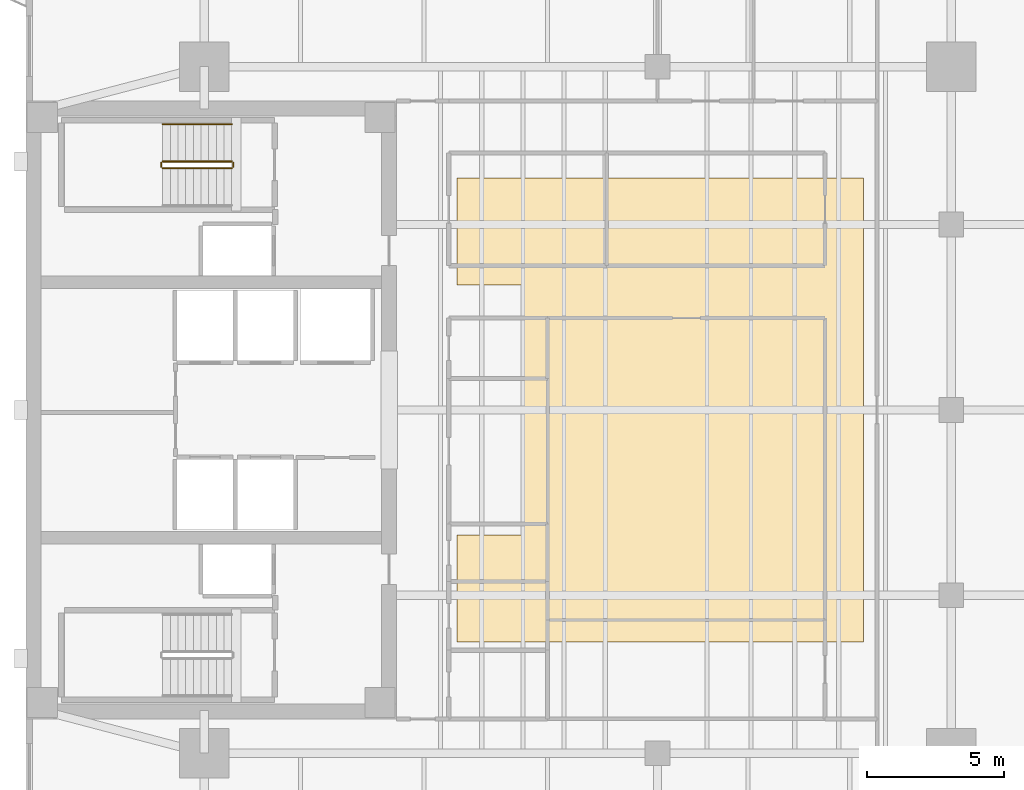
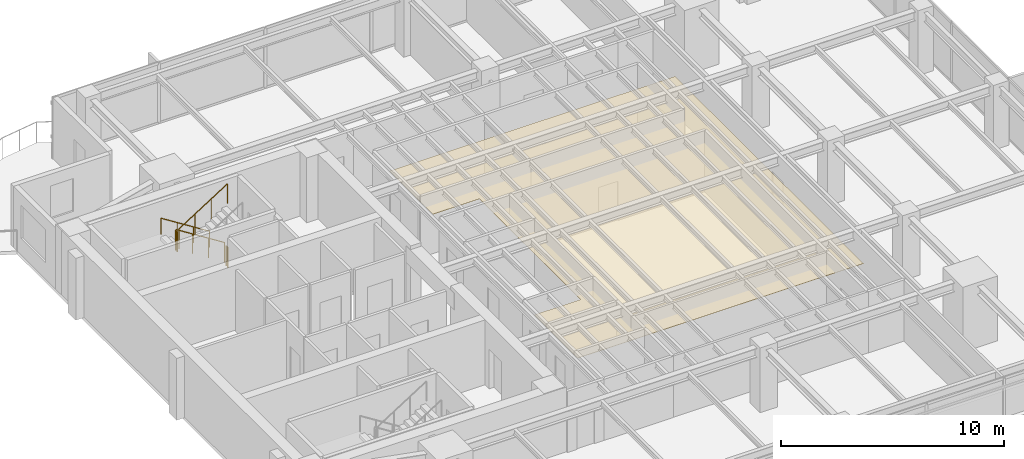
# One storey, part 13 of 15: 5 railings, 1 covering.
"""IFC4 building model written with IfcOpenShell, lengths in metres."""

from ifc_helpers import new_model, si_unit, direction, frame, origin, origin_2d, place, context, subcontext, project, spatial, polyline, circle, outline, extrude, material, layer, layer_set, type_object, element, save


model = new_model("IFC4")

# Units and contexts
model_context = context("Model", 3, precision=1e-05, world=origin(), true_north=direction((0.0, 1.0)))
body_context = subcontext(model_context, "Body", "Model", "MODEL_VIEW")
ifc_project = project(units=[si_unit("LENGTHUNIT", "METRE"), si_unit("AREAUNIT", "SQUARE_METRE"), si_unit("VOLUMEUNIT", "CUBIC_METRE"), si_unit("PLANEANGLEUNIT", "RADIAN"), si_unit("MASSUNIT", "GRAM", prefix="KILO")], contexts=[model_context])

# Site, building, storey
site_placement = place(None, origin())
site = spatial("IfcSite", under=ifc_project, at=site_placement, CompositionType="ELEMENT")
building_placement = place(site_placement, origin())
building = spatial("IfcBuilding", under=site, at=building_placement, Name="Kinhvarn Gate Tower", CompositionType="ELEMENT")
storey_placement = place(building_placement, frame((0.0, 0.0, 237.75)))
storey = spatial("IfcBuildingStorey", under=building, at=storey_placement, Name="L63", CompositionType="ELEMENT", Elevation=237.75)

# Covering
ifc_material_1 = material(Name="Mineral-fibre acoustic ceiling tile")
ifc_layer = layer(ifc_material_1, 0.02001953125)
ifc_layer_set = layer_set([ifc_layer], Name="Mineral-fibre acoustic ceiling tile")
covering_type = type_object("IfcCoveringType", Name="COV-CEIL-20", PredefinedType="CEILING", material=ifc_layer_set)
covering_placement = place(storey_placement, frame((0.0, 0.0, 2.64990234375)))
element("IfcCovering", 1, at=covering_placement, inside=storey, type_object=covering_type, Name="Suspended Acoustic Ceiling Tile (L63-1)", PredefinedType="CEILING", context=body_context, shape_type="SweptSolid", body=[
    extrude(outline(polyline([(35.0, 33.699951171875), (35.0, 16.800048828125), (20.199951171875, 16.800048828125), (20.199951171875, 20.699951171875), (22.60009765625, 20.699951171875), (22.60009765625, 29.800048828125), (20.199951171875, 29.800048828125), (20.199951171875, 33.699951171875), (35.0, 33.699951171875)])), origin(), (0.0, 0.0, 1.0), 0.02001953125),
])

# Railings
ifc_material_2 = material(Name="Steel S355", Category="steel")
railing_type_1 = type_object("IfcRailingType", Name="RL-ST-GRD", PredefinedType="BALUSTRADE", material=ifc_material_2)
railing_1_placement = place(storey_placement, frame((12.0, 34.300048828125, 0.177490234375)))
element("IfcRailing", 2, at=railing_1_placement, inside=storey, type_object=railing_type_1, Name="L63 ST2 stair guard 1", PredefinedType="BALUSTRADE", context=body_context, shape_type="SweptSolid", body=[
    extrude(circle(Radius=0.02392578125, at=origin_2d()), frame((0.0, 0.0, 1.076171875), z_axis=(-0.84460694969, 0.0, 0.535386869969), x_axis=(0.0, -1.0, 0.0)), (0.0, 0.0, 1.0), 2.983642578125),
    extrude(circle(Radius=0.02099609375, at=origin_2d()), origin(), (0.0, 0.0, 1.0), 1.052001953125),
    extrude(circle(Radius=0.02099609375, at=origin_2d()), frame((-0.840087890625, 0.0, 0.532470703125)), (0.0, 0.0, 1.0), 1.052001953125),
    extrude(circle(Radius=0.02099609375, at=origin_2d()), frame((-1.679931640625, 0.0, 1.06494140625)), (0.0, 0.0, 1.0), 1.052001953125),
    extrude(circle(Radius=0.02099609375, at=origin_2d()), frame((-2.52001953125, 0.0, 1.597412109375)), (0.0, 0.0, 1.0), 1.052001953125),
])
railing_2_placement = place(storey_placement, frame((9.429931640625, 34.25, 1.77490234375)))
element("IfcRailing", 3, at=railing_2_placement, inside=storey, type_object=railing_type_1, Name="L63 ST2 stair guard 2", PredefinedType="BALUSTRADE", context=body_context, shape_type="SweptSolid", body=[
    extrude(circle(Radius=0.02392578125, at=origin_2d()), frame((0.0, 0.0, 1.076171875), z_axis=(0.0, -1.0, 0.0), x_axis=(1.0, 0.0, 0.0)), (0.0, 0.0, 1.0), 0.14990234375),
    extrude(circle(Radius=0.02099609375, at=origin_2d()), origin(), (0.0, 0.0, 1.0), 1.052001953125),
    extrude(circle(Radius=0.02099609375, at=origin_2d()), frame((0.0, -0.14990234375, 0.0)), (0.0, 0.0, 1.0), 1.052001953125),
])
railing_3_placement = place(storey_placement, frame((9.47998046875, 34.050048828125, 1.952392578125)))
element("IfcRailing", 4, at=railing_3_placement, inside=storey, type_object=railing_type_1, Name="L63 ST2 stair guard 3", PredefinedType="BALUSTRADE", context=body_context, shape_type="SweptSolid", body=[
    extrude(circle(Radius=0.02392578125, at=origin_2d()), frame((0.0, 0.0, 1.076171875), z_axis=(0.84456994832, 0.0, 0.535445237532), x_axis=(0.0, 1.0, 0.0)), (0.0, 0.0, 1.0), 2.98388671875),
    extrude(circle(Radius=0.02099609375, at=origin_2d()), origin(), (0.0, 0.0, 1.0), 1.052001953125),
    extrude(circle(Radius=0.02099609375, at=origin_2d()), frame((0.840087890625, 0.0, 0.532470703125)), (0.0, 0.0, 1.0), 1.052001953125),
    extrude(circle(Radius=0.02099609375, at=origin_2d()), frame((1.679931640625, 0.0, 1.065185546875)), (0.0, 0.0, 1.0), 1.052001953125),
    extrude(circle(Radius=0.02099609375, at=origin_2d()), frame((2.52001953125, 0.0, 1.59765625)), (0.0, 0.0, 1.0), 1.052001953125),
])
railing_4_placement = place(storey_placement, frame((12.050048828125, 34.25, 0.0)))
element("IfcRailing", 5, at=railing_4_placement, inside=storey, type_object=railing_type_1, Name="L63 ST2 stair guard 4", PredefinedType="BALUSTRADE", context=body_context, shape_type="SweptSolid", body=[
    extrude(circle(Radius=0.02392578125, at=origin_2d()), frame((0.0, 0.0, 1.076171875), z_axis=(0.0, -1.0, 0.0), x_axis=(1.0, 0.0, 0.0)), (0.0, 0.0, 1.0), 0.14990234375),
    extrude(circle(Radius=0.02099609375, at=origin_2d()), origin(), (0.0, 0.0, 1.0), 1.052001953125),
    extrude(circle(Radius=0.02099609375, at=origin_2d()), frame((0.0, -0.14990234375, 0.0)), (0.0, 0.0, 1.0), 1.052001953125),
])
railing_type_2 = type_object("IfcRailingType", Name="RL-ST-HND", PredefinedType="HANDRAIL", material=ifc_material_2)
railing_5_placement = place(storey_placement, frame((12.0, 35.64990234375, 0.177490234375)))
element("IfcRailing", 6, at=railing_5_placement, inside=storey, type_object=railing_type_2, Name="L63 ST2 stair handrail 1", PredefinedType="HANDRAIL", context=body_context, shape_type="SweptSolid", body=[
    extrude(circle(Radius=0.02392578125, at=origin_2d()), frame((0.0, 0.0, 0.8759765625), z_axis=(-0.84460694969, 0.0, 0.535386869969), x_axis=(0.0, -1.0, 0.0)), (0.0, 0.0, 1.0), 2.983642578125),
    extrude(circle(Radius=0.02099609375, at=origin_2d()), origin(), (0.0, 0.0, 1.0), 0.851806640625),
    extrude(circle(Radius=0.02099609375, at=origin_2d()), frame((-0.840087890625, 0.0, 0.532470703125)), (0.0, 0.0, 1.0), 0.851806640625),
    extrude(circle(Radius=0.02099609375, at=origin_2d()), frame((-1.679931640625, 0.0, 1.06494140625)), (0.0, 0.0, 1.0), 0.851806640625),
    extrude(circle(Radius=0.02099609375, at=origin_2d()), frame((-2.52001953125, 0.0, 1.597412109375)), (0.0, 0.0, 1.0), 0.851806640625),
])

save(model, "model.ifc")
